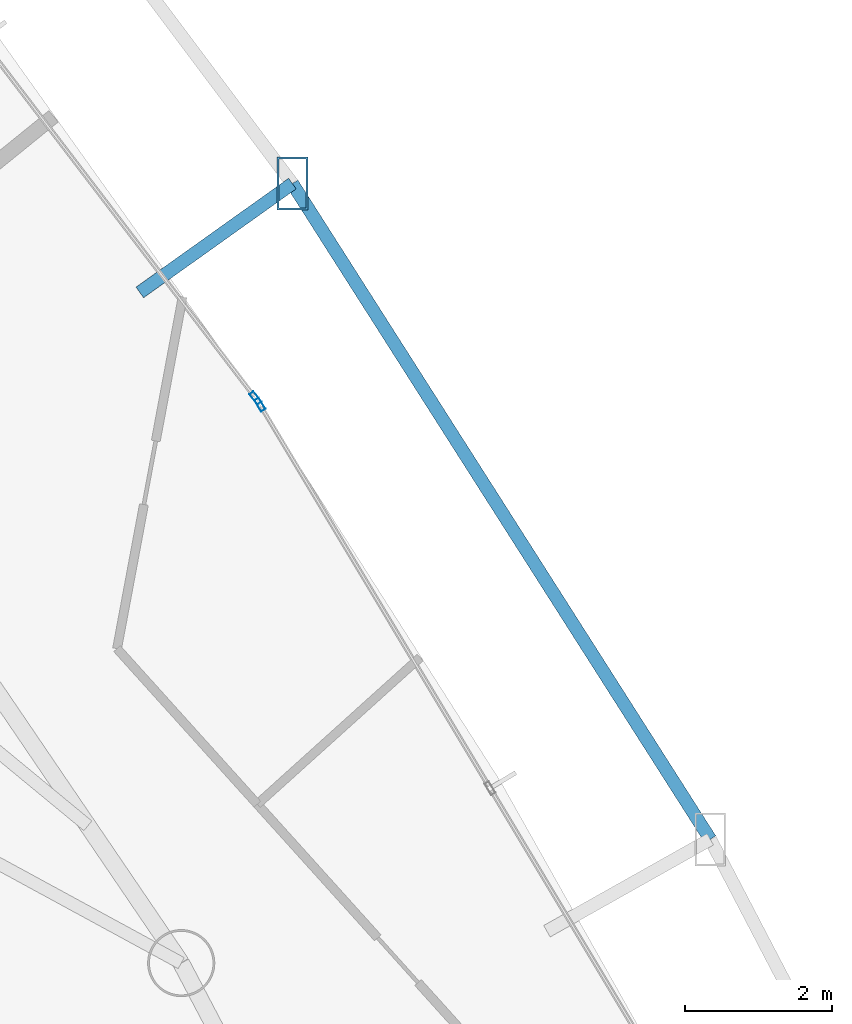
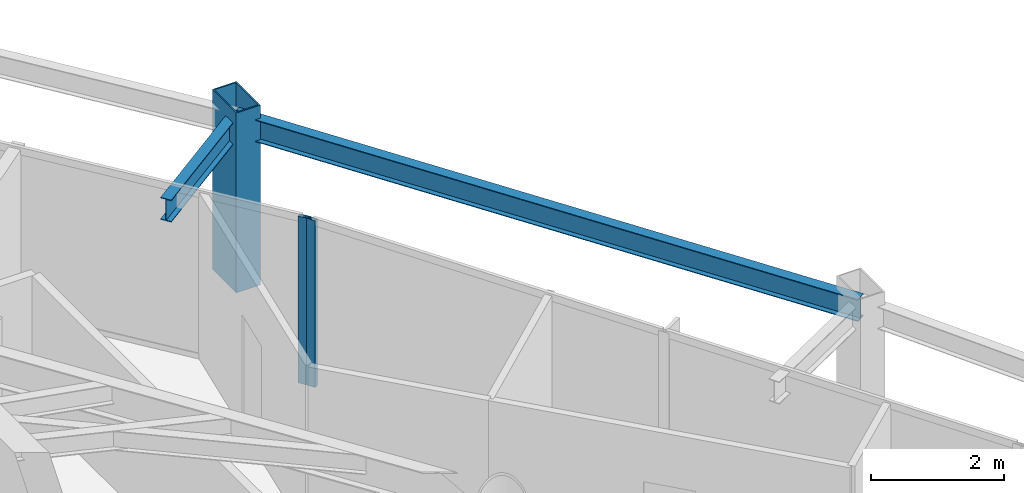
# One storey, part 26 of 34: 3 members, 2 beams, 2 elements without a shape of their own.
"""IFC4 building model written with IfcOpenShell, lengths in metres."""

from ifc_helpers import new_model, si_unit, direction, frame, origin, origin_2d, place, context, subcontext, project, spatial, hollow_rectangle, i_section, extrude, material, layer, layer_set, material_profile, profile_set, type_object, element, aggregate, save


model = new_model("IFC4")

# Units and contexts
model_context = context("Model", 3, precision=1e-05, world=origin(), true_north=direction((0.0, 1.0)))
body_context = subcontext(model_context, "Body", "Model", "MODEL_VIEW")
ifc_project = project(units=[si_unit("LENGTHUNIT", "METRE"), si_unit("AREAUNIT", "SQUARE_METRE"), si_unit("VOLUMEUNIT", "CUBIC_METRE"), si_unit("PLANEANGLEUNIT", "RADIAN"), si_unit("MASSUNIT", "GRAM", prefix="KILO")], contexts=[model_context])

# Site, building, storey
site_placement = place(None, origin())
site = spatial("IfcSite", under=ifc_project, at=site_placement, CompositionType="ELEMENT")
building_placement = place(site_placement, origin())
building = spatial("IfcBuilding", under=site, at=building_placement, Name="Orvanel Arch Residences", CompositionType="ELEMENT")
storey_placement = place(building_placement, frame((0.0, 0.0, 74.14990234375)))
storey = spatial("IfcBuildingStorey", under=building, at=storey_placement, Name="L20", CompositionType="ELEMENT", Elevation=74.14990234375)

# Member
ifc_material_1 = material(Name="Structural steel AS/NZS 3678 Grade 350", Category="steel")
ifc_material_profile_1 = material_profile(ifc_material_1, hollow_rectangle(XDim=0.419921875, YDim=0.719970703125, WallThickness=0.02490234375, at=origin_2d()), Name="RHS720x420x25")
ifc_profile_set_1 = profile_set([ifc_material_profile_1], Name="Structural steel AS/NZS 3678 Grade 350")
member_type_1 = type_object("IfcMemberType", Name="CH-720RHS-EXT", PredefinedType="CHORD", material=ifc_profile_set_1)
member_1_placement = place(storey_placement, frame((46.943115234375, 38.2451171875, 0.0), z_axis=(0.0, 0.0, 1.0), x_axis=(1.0, 0.0, 0.0)))
element("IfcMember", 1, at=member_1_placement, inside=storey, type_object=member_type_1, Name="L20 Outer Perimeter Frame Post 11", PredefinedType="CHORD", context=body_context, shape_type="SweptSolid", body=[
    extrude(hollow_rectangle(XDim=0.419921875, YDim=0.719970703125, WallThickness=0.02490234375, at=origin_2d()), origin(), (0.0, 0.0, 1.0), 3.300048828125),
])

# Curtain wall, member
ifc_material_2 = material(Name="Bronze-anodised aluminium AA6063-T6", Category="aluminium")
ifc_layer = layer(ifc_material_2, 0.179931640625)
ifc_layer_set = layer_set([ifc_layer], Name="Bronze-anodised aluminium AA6063-T6")
curtain_wall_type = type_object("IfcCurtainWallType", Name="CW2-LOW-SYS", PredefinedType="NOTDEFINED", material=ifc_layer_set)
curtain_wall_1_placement = place(storey_placement, origin())
curtain_wall_1 = element("IfcCurtainWall", 2, at=curtain_wall_1_placement, inside=storey, type_object=curtain_wall_type, Name="L20 CW2-LOW-SYS Unitised Curtain Wall", PredefinedType="NOTDEFINED")
ifc_material_profile_2 = material_profile(ifc_material_2, hollow_rectangle(XDim=0.070068359375, YDim=0.179931640625, WallThickness=0.00439453125, at=origin_2d()), Name="ALU180x70x4.5")
ifc_profile_set_2 = profile_set([ifc_material_profile_2], Name="Bronze-anodised aluminium AA6063-T6")
member_type_2 = type_object("IfcMemberType", Name="MUL-180x70", PredefinedType="MULLION", material=ifc_profile_set_2)
member_2_placement = place(storey_placement, frame((46.501953125, 35.239013671875, 0.0), z_axis=(0.0, 0.0, 1.0), x_axis=(-0.85755059276, -0.514399631471, 0.0)))
member_2 = element("IfcMember", 3, at=member_2_placement, type_object=member_type_2, Name="CW-S2 mullion 3", PredefinedType="MULLION", context=body_context, shape_type="SweptSolid", body=[
    extrude(hollow_rectangle(XDim=0.070068359375, YDim=0.179931640625, WallThickness=0.00439453125, at=origin_2d()), origin(), (0.0, 0.0, 1.0), 3.06005859375),
])
aggregate(curtain_wall_1, [member_2])

curtain_wall_2_placement = place(storey_placement, origin())
curtain_wall_2 = element("IfcCurtainWall", 4, at=curtain_wall_2_placement, inside=storey, type_object=curtain_wall_type, Name="L20 CW2-LOW-SYS Unitised Curtain Wall", PredefinedType="NOTDEFINED")
member_3_placement = place(storey_placement, frame((46.440673828125, 35.329833984375, 0.0), z_axis=(0.0, 0.0, 1.0), x_axis=(-0.794739834664, -0.606950241122, 0.0)))
member_3 = element("IfcMember", 5, at=member_3_placement, type_object=member_type_2, Name="CW-S2 mullion 1", PredefinedType="MULLION", context=body_context, shape_type="SweptSolid", body=[
    extrude(hollow_rectangle(XDim=0.070068359375, YDim=0.179931640625, WallThickness=0.00439453125, at=origin_2d()), origin(), (0.0, 0.0, 1.0), 3.06005859375),
])
aggregate(curtain_wall_2, [member_3])

# Beams
ifc_material_3 = material(Name="Structural steel AS/NZS 3679.1 Grade 300 (300 MPa)", Category="steel")
ifc_material_profile_3 = material_profile(ifc_material_3, i_section(OverallWidth=0.177978515625, OverallDepth=0.406005859375, WebThickness=0.0078125, FlangeThickness=0.0126953125, at=origin_2d()), Name="410UB59.7")
ifc_profile_set_3 = profile_set([ifc_material_profile_3], Name="Structural steel AS/NZS 3679.1 Grade 300 (300 MPa)")
beam_type = type_object("IfcBeamType", Name="OB-410UB-EXT", PredefinedType="SPANDREL", material=ifc_profile_set_3)
beam_1_placement = place(storey_placement, frame((52.6279296875, 29.324951171875, 2.857177734375), z_axis=(-0.537436916065, 0.843303955434, 0.0), x_axis=(-0.843303955434, -0.537436916065, 0.0)))
element("IfcBeam", 6, at=beam_1_placement, inside=storey, type_object=beam_type, Name="L20 Outer Perimeter Floor Ring Beam 10", PredefinedType="SPANDREL", context=body_context, shape_type="SweptSolid", body=[
    extrude(i_section(OverallWidth=0.177978515625, OverallDepth=0.406005859375, WebThickness=0.0078125, FlangeThickness=0.0126953125, at=origin_2d()), origin(), (0.0, 0.0, 1.0), 10.57763671875),
])
beam_2_placement = place(storey_placement, frame((44.866943359375, 36.764892578125, 2.857177734375), z_axis=(0.814244245962, 0.58052244394, 0.0), x_axis=(-0.58052244394, 0.814244245962, 0.0)))
element("IfcBeam", 7, at=beam_2_placement, inside=storey, type_object=beam_type, Name="L20 Outer Frame Radial Tie Beam 11", PredefinedType="SPANDREL", context=body_context, shape_type="SweptSolid", body=[
    extrude(i_section(OverallWidth=0.177978515625, OverallDepth=0.406005859375, WebThickness=0.0078125, FlangeThickness=0.0126953125, at=origin_2d()), origin(), (0.0, 0.0, 1.0), 2.5498046875),
])

save(model, "model.ifc")
